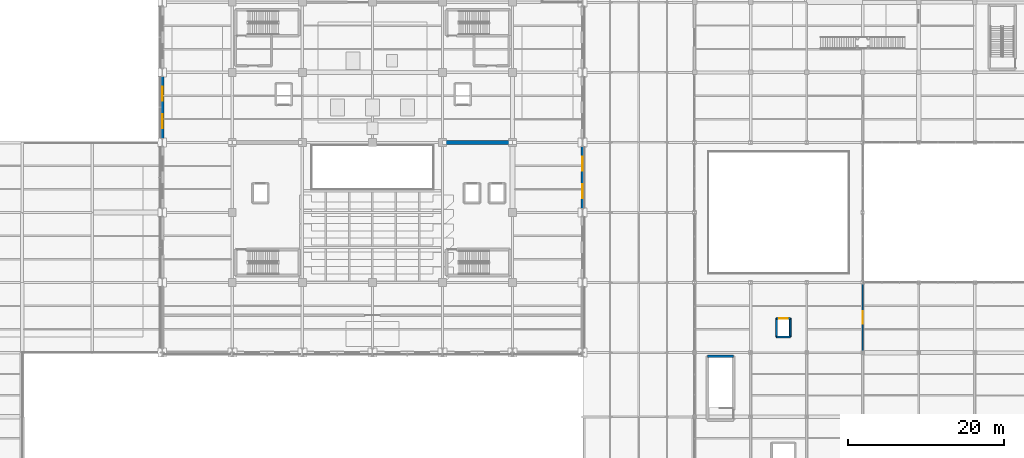
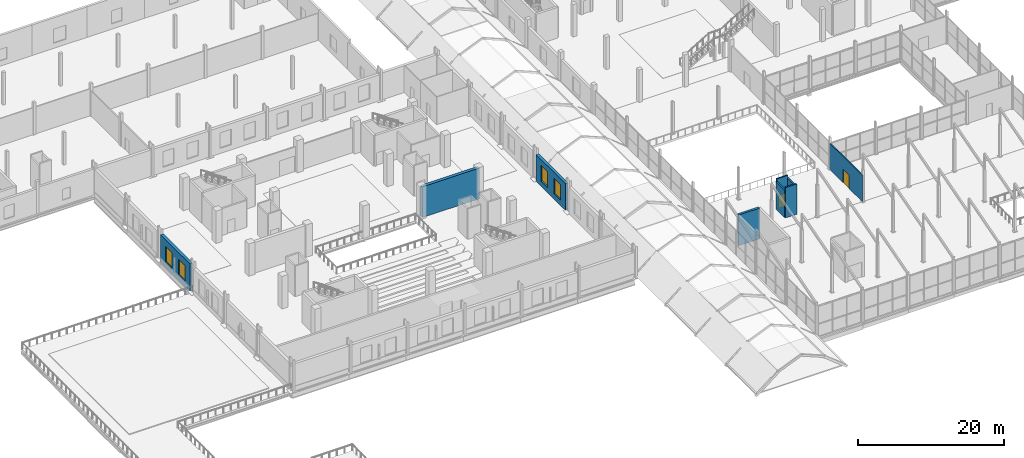
# One storey, part 118 of 141: 9 walls, 4 windows, 2 doors, 6 openings.
"""IFC4 building model written with IfcOpenShell, lengths in metres."""

from ifc_helpers import new_model, si_unit, direction, frame, frame_2d, origin, place, context, subcontext, project, spatial, rectangle, extrude, material, layer, layer_set, type_object, element, fill, save


model = new_model("IFC4")

# Units and contexts
model_context = context("Model", 3, precision=1e-05, world=origin(), true_north=direction((0.0, 1.0)))
body_context = subcontext(model_context, "Body", "Model", "MODEL_VIEW")
ifc_project = project(units=[si_unit("LENGTHUNIT", "METRE"), si_unit("AREAUNIT", "SQUARE_METRE"), si_unit("VOLUMEUNIT", "CUBIC_METRE"), si_unit("PLANEANGLEUNIT", "RADIAN"), si_unit("MASSUNIT", "GRAM", prefix="KILO")], contexts=[model_context])

# Site, building, storey
site_placement = place(None, origin())
site = spatial("IfcSite", under=ifc_project, at=site_placement, CompositionType="ELEMENT")
building_placement = place(site_placement, origin())
building = spatial("IfcBuilding", under=site, at=building_placement, Name="Sundgate Opera House", CompositionType="ELEMENT")
storey_placement = place(building_placement, frame((0.0, 0.0, 11.39990234375)))
storey = spatial("IfcBuildingStorey", under=building, at=storey_placement, Name="L02", CompositionType="ELEMENT", Elevation=11.39990234375)

# Wall
ifc_material_1 = material(Name="Concrete C40/50", Category="concrete")
ifc_layer_1 = layer(ifc_material_1, 0.35009765625)
ifc_layer_set_1 = layer_set([ifc_layer_1], Name="Concrete C40/50")
wall_type_1 = type_object("IfcWallType", Name="WL-CORE-350", PredefinedType="SHEAR", material=ifc_layer_set_1)
wall_1_placement = place(storey_placement, frame((97.06005859375, 32.5400390625, 0.0), z_axis=(0.0, 0.0, 1.0), x_axis=(1.0, 0.0, 0.0)))
element("IfcWall", 1, at=wall_1_placement, inside=storey, type_object=wall_type_1, Name="L02 C7 North Shaft Wall", PredefinedType="SHEAR", context=body_context, shape_type="SweptSolid", body=[
    extrude(rectangle(XDim=3.329833984375, YDim=0.35009765625, at=frame_2d((1.6650390625, 0.0))), origin(), (0.0, 0.0, 1.0), 5.1201171875),
])

# Wall, openings, windows
ifc_material_2 = material(Name="Komstad limestone ashlar masonry", Category="masonry")
ifc_layer_2 = layer(ifc_material_2, 0.43994140625)
ifc_layer_set_2 = layer_set([ifc_layer_2], Name="Komstad limestone ashlar masonry")
wall_type_2 = type_object("IfcWallType", Name="WL-EXT-LIME-440", PredefinedType="SOLIDWALL", material=ifc_layer_set_2)
wall_2_placement = place(storey_placement, frame((81.0, 51.4951171875, 0.0), z_axis=(0.0, 0.0, 1.0), x_axis=(0.0, 1.0, 0.0)))
wall_2 = element("IfcWall", 2, at=wall_2_placement, inside=storey, type_object=wall_type_2, Name="L02 Lifted Cube East Relief Wall W0062", PredefinedType="SOLIDWALL", context=body_context, shape_type="SweptSolid", body=[
    extrude(rectangle(XDim=8.009765625, YDim=0.43994140625, at=frame_2d((4.0048828125, 0.0))), origin(), (0.0, 0.0, 1.0), 4.43505859375),
])
opening_1_placement = place(wall_2_placement, frame((1.343017578125, 0.0, 0.85009765625)))
opening_1 = element("IfcOpeningElement", 3, at=opening_1_placement, cuts=wall_2, Name="Opening W01", PredefinedType="OPENING", context=body_context, shape_type="SweptSolid", body=[
    extrude(rectangle(XDim=1.800048828125, YDim=2.60009765625, at=frame_2d((0.89990234375, 1.300048828125))), frame((0.0, 0.22998046875, 0.0), z_axis=(0.0, -1.0, 0.0), x_axis=(1.0, 0.0, 0.0)), (0.0, 0.0, 1.0), 0.4599609375),
])
opening_2_placement = place(wall_2_placement, frame((4.866943359375, 0.0, 0.85009765625)))
opening_2 = element("IfcOpeningElement", 4, at=opening_2_placement, cuts=wall_2, Name="Opening W01", PredefinedType="OPENING", context=body_context, shape_type="SweptSolid", body=[
    extrude(rectangle(XDim=1.800048828125, YDim=2.60009765625, at=frame_2d((0.89990234375, 1.300048828125))), frame((0.0, 0.22998046875, 0.0), z_axis=(0.0, -1.0, 0.0), x_axis=(1.0, 0.0, 0.0)), (0.0, 0.0, 1.0), 0.4599609375),
])
ifc_material_3 = material(Name="Low-iron triple glazing in patinated bronze frame", Category="glass")
window_type = type_object("IfcWindowType", Name="WN-CUBE-1800x2600", PartitioningType="SINGLE_PANEL", PredefinedType="WINDOW", material=ifc_material_3)
window_1_placement = place(opening_1_placement, origin())
window_1 = element("IfcWindow", 5, at=window_1_placement, inside=storey, type_object=window_type, Name="L02 Cube Loggia Window WN0021", OverallHeight=2.60009765625, OverallWidth=1.800048828125, PartitioningType="SINGLE_PANEL", PredefinedType="WINDOW", context=body_context, shape_type="SweptSolid", body=[
    extrude(rectangle(XDim=1.800048828125, YDim=2.60009765625, at=frame_2d((0.89990234375, 1.300048828125))), frame((0.0, 0.030029296875, 0.0), z_axis=(0.0, -1.0, 0.0), x_axis=(1.0, 0.0, 0.0)), (0.0, 0.0, 1.0), 0.06005859375),
])
fill(opening_1, window_1)
window_2_placement = place(opening_2_placement, origin())
window_2 = element("IfcWindow", 6, at=window_2_placement, inside=storey, type_object=window_type, Name="L02 Cube Loggia Window WN0022", OverallHeight=2.60009765625, OverallWidth=1.800048828125, PartitioningType="SINGLE_PANEL", PredefinedType="WINDOW", context=body_context, shape_type="SweptSolid", body=[
    extrude(rectangle(XDim=1.800048828125, YDim=2.60009765625, at=frame_2d((0.89990234375, 1.300048828125))), frame((0.0, 0.030029296875, 0.0), z_axis=(0.0, -1.0, 0.0), x_axis=(1.0, 0.0, 0.0)), (0.0, 0.0, 1.0), 0.06005859375),
])
fill(opening_2, window_2)

wall_3_placement = place(storey_placement, frame((27.0, 68.5048828125, 0.0), z_axis=(0.0, 0.0, 1.0), x_axis=(0.0, -1.0, 0.0)))
wall_3 = element("IfcWall", 7, at=wall_3_placement, inside=storey, type_object=wall_type_2, Name="L02 Lifted Cube West Relief Wall W0063", PredefinedType="SOLIDWALL", context=body_context, shape_type="SweptSolid", body=[
    extrude(rectangle(XDim=8.009765625, YDim=0.43994140625, at=frame_2d((4.0048828125, 0.0))), origin(), (0.0, 0.0, 1.0), 4.53515625),
])
opening_3_placement = place(wall_3_placement, frame((1.343017578125, 0.0, 0.85009765625)))
opening_3 = element("IfcOpeningElement", 8, at=opening_3_placement, cuts=wall_3, Name="Opening W01", PredefinedType="OPENING", context=body_context, shape_type="SweptSolid", body=[
    extrude(rectangle(XDim=1.800048828125, YDim=2.60009765625, at=frame_2d((0.89990234375, 1.300048828125))), frame((0.0, 0.22998046875, 0.0), z_axis=(0.0, -1.0, 0.0), x_axis=(1.0, 0.0, 0.0)), (0.0, 0.0, 1.0), 0.4599609375),
])
opening_4_placement = place(wall_3_placement, frame((4.866943359375, 0.0, 0.85009765625)))
opening_4 = element("IfcOpeningElement", 9, at=opening_4_placement, cuts=wall_3, Name="Opening W01", PredefinedType="OPENING", context=body_context, shape_type="SweptSolid", body=[
    extrude(rectangle(XDim=1.800048828125, YDim=2.60009765625, at=frame_2d((0.89990234375, 1.300048828125))), frame((0.0, 0.22998046875, 0.0), z_axis=(0.0, -1.0, 0.0), x_axis=(1.0, 0.0, 0.0)), (0.0, 0.0, 1.0), 0.4599609375),
])
window_3_placement = place(opening_3_placement, origin())
window_3 = element("IfcWindow", 10, at=window_3_placement, inside=storey, type_object=window_type, Name="L02 Cube Loggia Window WN0023", OverallHeight=2.60009765625, OverallWidth=1.800048828125, PartitioningType="SINGLE_PANEL", PredefinedType="WINDOW", context=body_context, shape_type="SweptSolid", body=[
    extrude(rectangle(XDim=1.800048828125, YDim=2.60009765625, at=frame_2d((0.89990234375, 1.300048828125))), frame((0.0, 0.030029296875, 0.0), z_axis=(0.0, -1.0, 0.0), x_axis=(1.0, 0.0, 0.0)), (0.0, 0.0, 1.0), 0.06005859375),
])
fill(opening_3, window_3)
window_4_placement = place(opening_4_placement, origin())
window_4 = element("IfcWindow", 11, at=window_4_placement, inside=storey, type_object=window_type, Name="L02 Cube Loggia Window WN0024", OverallHeight=2.60009765625, OverallWidth=1.800048828125, PartitioningType="SINGLE_PANEL", PredefinedType="WINDOW", context=body_context, shape_type="SweptSolid", body=[
    extrude(rectangle(XDim=1.800048828125, YDim=2.60009765625, at=frame_2d((0.89990234375, 1.300048828125))), frame((0.0, 0.030029296875, 0.0), z_axis=(0.0, -1.0, 0.0), x_axis=(1.0, 0.0, 0.0)), (0.0, 0.0, 1.0), 0.06005859375),
])
fill(opening_4, window_4)

# Wall
ifc_material_4 = material(Name="Fire-rated gypsum and mineral-wool shaft partition", Category="gypsum")
ifc_layer_3 = layer(ifc_material_4, 0.219970703125)
ifc_layer_set_3 = layer_set([ifc_layer_3], Name="Fire-rated gypsum and mineral-wool shaft partition")
wall_type_3 = type_object("IfcWallType", Name="WL-INT-FIRE-220", PredefinedType="PARTITIONING", material=ifc_layer_set_3)
wall_4_placement = place(storey_placement, frame((105.909912109375, 35.010009765625, 0.0), z_axis=(0.0, 0.0, 1.0), x_axis=(1.0, 0.0, 0.0)))
element("IfcWall", 12, at=wall_4_placement, inside=storey, type_object=wall_type_3, Name="L02 LF-05 South Shaft Wall", PredefinedType="PARTITIONING", context=body_context, shape_type="SweptSolid", body=[
    extrude(rectangle(XDim=1.780029296875, YDim=0.219970703125, at=frame_2d((0.89013671875, 0.0))), origin(), (0.0, 0.0, 1.0), 5.05517578125),
])

# Wall, opening, door
wall_5_placement = place(storey_placement, frame((105.909912109375, 37.389892578125, 0.0), z_axis=(0.0, 0.0, 1.0), x_axis=(1.0, 0.0, 0.0)))
wall_5 = element("IfcWall", 13, at=wall_5_placement, inside=storey, type_object=wall_type_3, Name="L02 LF-05 North Shaft Wall", PredefinedType="PARTITIONING", context=body_context, shape_type="SweptSolid", body=[
    extrude(rectangle(XDim=1.780029296875, YDim=0.219970703125, at=frame_2d((0.89013671875, 0.0))), origin(), (0.0, 0.0, 1.0), 5.05517578125),
])
opening_5_placement = place(wall_5_placement, frame((0.340087890625, 0.0, 0.0)))
opening_5 = element("IfcOpeningElement", 14, at=opening_5_placement, cuts=wall_5, Name="Opening LD1", PredefinedType="OPENING", context=body_context, shape_type="SweptSolid", body=[
    extrude(rectangle(XDim=1.10009765625, YDim=2.179931640625, at=frame_2d((0.550048828125, 1.08984375))), frame((0.0, 0.119873046875, 0.0), z_axis=(0.0, -1.0, 0.0), x_axis=(1.0, 0.0, 0.0)), (0.0, 0.0, 1.0), 0.239990234375),
])
ifc_material_5 = material(Name="Brushed stainless steel EN 1.4301", Category="steel")
door_type_1 = type_object("IfcDoorType", Name="DR-LIFT-1100x2180", OperationType="DOUBLE_DOOR_SLIDING", PredefinedType="DOOR", material=ifc_material_5)
door_1_placement = place(opening_5_placement, origin())
door_1 = element("IfcDoor", 15, at=door_1_placement, inside=storey, type_object=door_type_1, Name="L02 LF-05 Landing Door D0122", OperationType="DOUBLE_DOOR_SLIDING", OverallHeight=2.179931640625, OverallWidth=1.10009765625, PredefinedType="DOOR", context=body_context, shape_type="SweptSolid", body=[
    extrude(rectangle(XDim=1.10009765625, YDim=2.179931640625, at=frame_2d((0.550048828125, 1.08984375))), frame((0.0, 0.02490234375, 0.0), z_axis=(0.0, -1.0, 0.0), x_axis=(1.0, 0.0, 0.0)), (0.0, 0.0, 1.0), 0.050048828125),
])
fill(opening_5, door_1)

# Walls
for number, where, z_axis, x_axis, name in (
    (16, (105.909912109375, 35.010009765625, 0.0), (0.0, 0.0, 1.0), (0.0, 1.0, 0.0), "L02 LF-05 West Shaft Wall"),
    (17, (107.68994140625, 35.010009765625, 0.0), (0.0, 0.0, 1.0), (0.0, 1.0, 0.0), "L02 LF-05 East Shaft Wall"),
):
    element("IfcWall", number, at=place(storey_placement, frame(where, z_axis=z_axis, x_axis=x_axis)), inside=storey, type_object=wall_type_3, Name=name, PredefinedType="PARTITIONING", context=body_context, shape_type="SweptSolid", body=[
        extrude(rectangle(XDim=2.3798828125, YDim=0.219970703125, at=frame_2d((1.18994140625, 0.0))), origin(), (0.0, 0.0, 1.0), 4.60498046875),
    ])

# Wall, opening, door
ifc_material_6 = material(Name="Acoustic rehearsal stud partition", Category="gypsum")
ifc_layer_4 = layer(ifc_material_6, 0.175048828125)
ifc_layer_set_4 = layer_set([ifc_layer_4], Name="Acoustic rehearsal stud partition")
wall_type_4 = type_object("IfcWallType", Name="WL-INT-PART-175", PredefinedType="PARTITIONING", material=ifc_layer_set_4)
wall_6_placement = place(storey_placement, frame((117.0, 33.0, 0.0), z_axis=(0.0, 0.0, 1.0), x_axis=(0.0, 1.0, 0.0)))
wall_6 = element("IfcWall", 18, at=wall_6_placement, inside=storey, type_object=wall_type_4, Name="L02 Interior Partition W1056", PredefinedType="PARTITIONING", context=body_context, shape_type="SweptSolid", body=[
    extrude(rectangle(XDim=9.0, YDim=0.175048828125, at=frame_2d((4.5, 0.0))), origin(), (0.0, 0.0, 1.0), 4.35498046875),
])
opening_6_placement = place(wall_6_placement, frame((3.699951171875, 0.0, 0.0)))
opening_6 = element("IfcOpeningElement", 19, at=opening_6_placement, cuts=wall_6, Name="Opening DI06", PredefinedType="OPENING", context=body_context, shape_type="SweptSolid", body=[
    extrude(rectangle(XDim=1.60009765625, YDim=2.25, at=frame_2d((0.800048828125, 1.125))), frame((0.0, 0.097412109375, 0.0), z_axis=(0.0, -1.0, 0.0), x_axis=(1.0, 0.0, 0.0)), (0.0, 0.0, 1.0), 0.195068359375),
])
ifc_material_7 = material(Name="Acoustic hardwood timber and steel core", Category="steel")
door_type_2 = type_object("IfcDoorType", Name="DR-REH-1600x2250", OperationType="DOUBLE_DOOR_SINGLE_SWING", PredefinedType="DOOR", material=ifc_material_7)
door_2_placement = place(opening_6_placement, origin())
door_2 = element("IfcDoor", 20, at=door_2_placement, inside=storey, type_object=door_type_2, Name="L02 Interior Door D0218", OperationType="DOUBLE_DOOR_SINGLE_SWING", OverallHeight=2.25, OverallWidth=1.60009765625, PredefinedType="DOOR", context=body_context, shape_type="SweptSolid", body=[
    extrude(rectangle(XDim=1.60009765625, YDim=2.25, at=frame_2d((0.800048828125, 1.125))), frame((0.0, 0.02490234375, 0.0), z_axis=(0.0, -1.0, 0.0), x_axis=(1.0, 0.0, 0.0)), (0.0, 0.0, 1.0), 0.050048828125),
])
fill(opening_6, door_2)

# Wall
ifc_material_8 = material(Name="Concrete C40/50", Category="concrete")
ifc_layer_5 = layer(ifc_material_8, 0.47998046875)
ifc_layer_set_5 = layer_set([ifc_layer_5], Name="Concrete C40/50")
wall_type_5 = type_object("IfcWallType", Name="WL-PROS-480", PredefinedType="SHEAR", material=ifc_layer_set_5)
wall_7_placement = place(storey_placement, frame((63.0, 60.0, 0.0), z_axis=(0.0, 0.0, 1.0), x_axis=(1.0, 0.0, 0.0)))
element("IfcWall", 21, at=wall_7_placement, inside=storey, type_object=wall_type_5, Name="L02 Proscenium Shear Wall W0015", PredefinedType="SHEAR", context=body_context, shape_type="SweptSolid", body=[
    extrude(rectangle(XDim=9.0, YDim=0.47998046875, at=frame_2d((4.5, 0.0))), origin(), (0.0, 0.0, 1.0), 5.1201171875),
])

save(model, "model.ifc")
